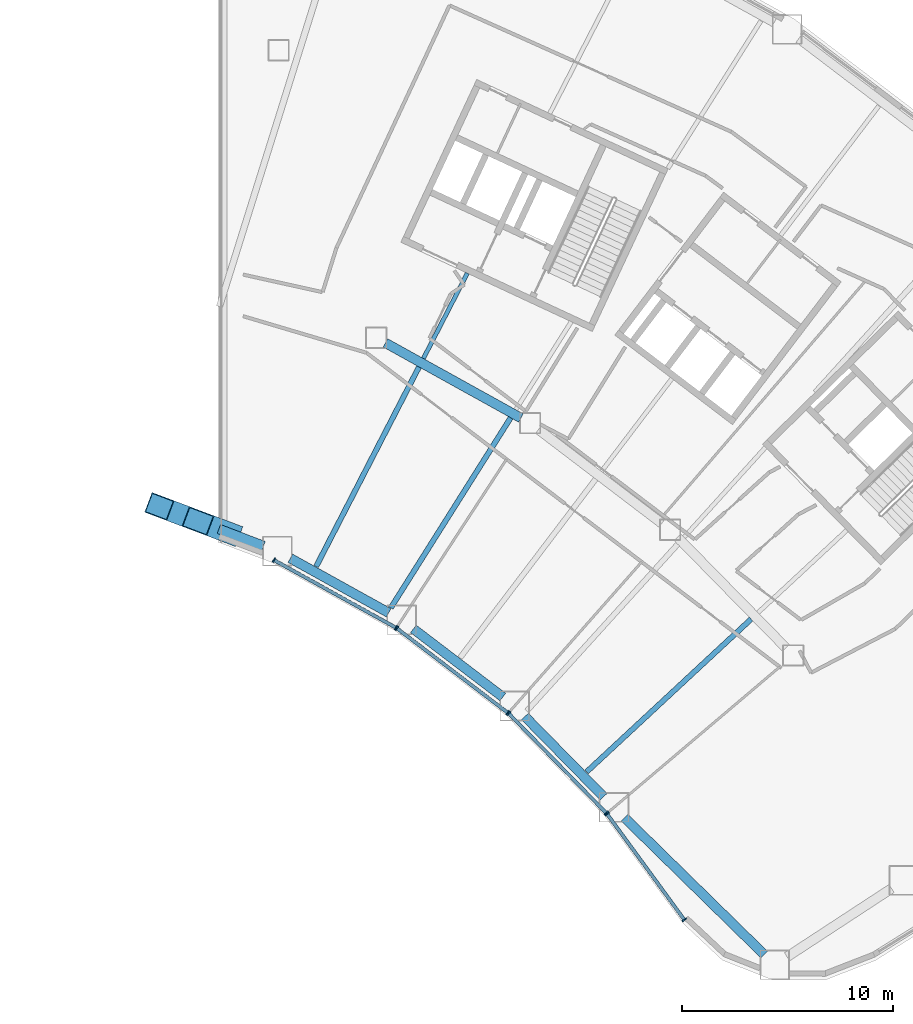
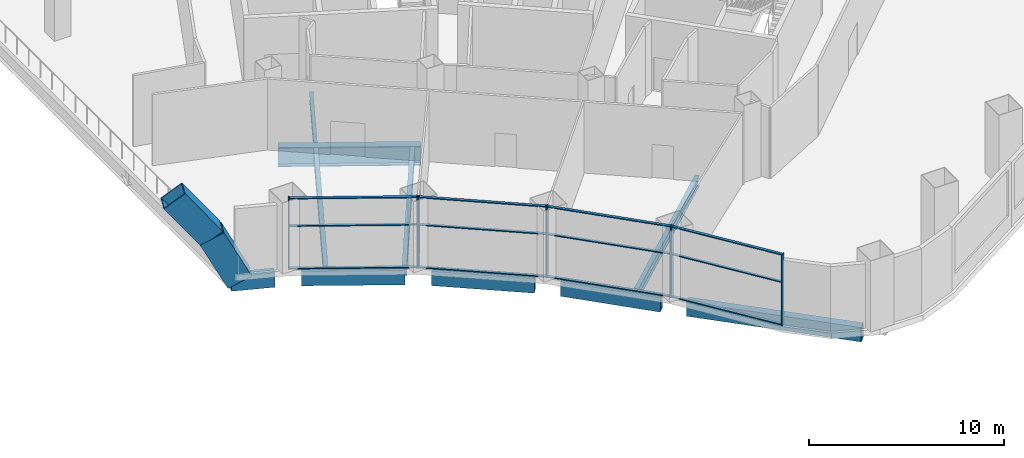
# One storey, part 8 of 20: 20 members, 12 beams, 4 elements without a shape of their own.
"""IFC4 building model written with IfcOpenShell, lengths in metres."""

from ifc_helpers import new_model, si_unit, direction, frame, origin, origin_2d, place, context, subcontext, project, spatial, rectangle, hollow_rectangle, i_section, extrude, material, layer, layer_set, material_profile, profile_set, type_object, element, aggregate, save


model = new_model("IFC4")

# Units and contexts
model_context = context("Model", 3, precision=1e-05, world=origin(), true_north=direction((0.0, 1.0)))
body_context = subcontext(model_context, "Body", "Model", "MODEL_VIEW")
ifc_project = project(units=[si_unit("LENGTHUNIT", "METRE"), si_unit("AREAUNIT", "SQUARE_METRE"), si_unit("VOLUMEUNIT", "CUBIC_METRE"), si_unit("PLANEANGLEUNIT", "RADIAN"), si_unit("MASSUNIT", "GRAM", prefix="KILO")], contexts=[model_context])

# Site, building, storey
site_placement = place(None, origin())
site = spatial("IfcSite", under=ifc_project, at=site_placement, CompositionType="ELEMENT")
building_placement = place(site_placement, origin())
building = spatial("IfcBuilding", under=site, at=building_placement, Name="Tuul Gate Civic Tower", CompositionType="ELEMENT")
storey_placement = place(building_placement, frame((0.0, 0.0, 12.300048828125)))
storey = spatial("IfcBuildingStorey", under=building, at=storey_placement, Name="Level 02", CompositionType="ELEMENT", Elevation=12.300048828125)

# Curtain wall, members
ifc_material_1 = material(Name="Aluminium", Category="aluminium")
ifc_layer = layer(ifc_material_1, 0.199951171875)
ifc_layer_set = layer_set([ifc_layer], Name="Aluminium")
curtain_wall_type = type_object("IfcCurtainWallType", Name="Curtain wall CW6", PredefinedType="NOTDEFINED", material=ifc_layer_set)
curtain_wall_1_placement = place(storey_placement, origin())
curtain_wall_1 = element("IfcCurtainWall", 1, at=curtain_wall_1_placement, inside=storey, type_object=curtain_wall_type, Name="Curtain wall CW6", PredefinedType="NOTDEFINED")
ifc_material_2 = material(Name="Aluminium", Category="aluminium")
ifc_material_profile_1 = material_profile(ifc_material_2, rectangle(XDim=0.239990234375, YDim=0.06005859375, at=origin_2d()), Name="CW6 mullion")
ifc_profile_set_1 = profile_set([ifc_material_profile_1], Name="Aluminium")
member_type_1 = type_object("IfcMemberType", Name="CW6 mullion", PredefinedType="MULLION", material=ifc_profile_set_1)
member_1_placement = place(storey_placement, frame((19.394287109375, -18.20751953125, 0.0), z_axis=(0.0, 0.0, 1.0), x_axis=(0.484724404523, 0.87466693756, 0.0)))
member_1 = element("IfcMember", 2, at=member_1_placement, type_object=member_type_1, Name="Mullion", PredefinedType="MULLION", context=body_context, shape_type="SweptSolid", body=[
    extrude(rectangle(XDim=0.239990234375, YDim=0.06005859375, at=origin_2d()), origin(), (0.0, 0.0, 1.0), 4.449951171875),
])
member_2_placement = place(storey_placement, frame((25.164794921875, -21.405517578125, 0.0), z_axis=(0.0, 0.0, 1.0), x_axis=(0.484724404523, 0.87466693756, 0.0)))
member_2 = element("IfcMember", 3, at=member_2_placement, type_object=member_type_1, Name="Mullion", PredefinedType="MULLION", context=body_context, shape_type="SweptSolid", body=[
    extrude(rectangle(XDim=0.239990234375, YDim=0.06005859375, at=origin_2d()), origin(), (0.0, 0.0, 1.0), 4.449951171875),
])

curtain_wall_2_placement = place(storey_placement, origin())
curtain_wall_2 = element("IfcCurtainWall", 4, at=curtain_wall_2_placement, inside=storey, type_object=curtain_wall_type, Name="Curtain wall CW6", PredefinedType="NOTDEFINED")
member_3_placement = place(storey_placement, frame((25.21484375, -21.438232421875, 0.0), z_axis=(0.0, 0.0, 1.0), x_axis=(0.605776174218, 0.795635109048, 0.0)))
member_3 = element("IfcMember", 5, at=member_3_placement, type_object=member_type_1, Name="Mullion", PredefinedType="MULLION", context=body_context, shape_type="SweptSolid", body=[
    extrude(rectangle(XDim=0.239990234375, YDim=0.06005859375, at=origin_2d()), origin(), (0.0, 0.0, 1.0), 4.449951171875),
])
member_4_placement = place(storey_placement, frame((30.464111328125, -25.434814453125, 0.0), z_axis=(0.0, 0.0, 1.0), x_axis=(0.605776174218, 0.795635109048, 0.0)))
member_4 = element("IfcMember", 6, at=member_4_placement, type_object=member_type_1, Name="Mullion", PredefinedType="MULLION", context=body_context, shape_type="SweptSolid", body=[
    extrude(rectangle(XDim=0.239990234375, YDim=0.06005859375, at=origin_2d()), origin(), (0.0, 0.0, 1.0), 4.449951171875),
])

curtain_wall_3_placement = place(storey_placement, origin())
curtain_wall_3 = element("IfcCurtainWall", 7, at=curtain_wall_3_placement, inside=storey, type_object=curtain_wall_type, Name="Curtain wall CW6", PredefinedType="NOTDEFINED")
member_5_placement = place(storey_placement, frame((30.509033203125, -25.474365234375, 0.0), z_axis=(0.0, 0.0, 1.0), x_axis=(0.714131733701, 0.700011333423, 0.0)))
member_5 = element("IfcMember", 8, at=member_5_placement, type_object=member_type_1, Name="Mullion", PredefinedType="MULLION", context=body_context, shape_type="SweptSolid", body=[
    extrude(rectangle(XDim=0.239990234375, YDim=0.06005859375, at=origin_2d()), origin(), (0.0, 0.0, 1.0), 4.449951171875),
])
member_6_placement = place(storey_placement, frame((35.126953125, -30.185546875, 0.0), z_axis=(0.0, 0.0, 1.0), x_axis=(0.714131733701, 0.700011333423, 0.0)))
member_6 = element("IfcMember", 9, at=member_6_placement, type_object=member_type_1, Name="Mullion", PredefinedType="MULLION", context=body_context, shape_type="SweptSolid", body=[
    extrude(rectangle(XDim=0.239990234375, YDim=0.06005859375, at=origin_2d()), origin(), (0.0, 0.0, 1.0), 4.449951171875),
])

curtain_wall_4_placement = place(storey_placement, origin())
curtain_wall_4 = element("IfcCurtainWall", 10, at=curtain_wall_4_placement, inside=storey, type_object=curtain_wall_type, Name="Curtain wall CW6", PredefinedType="NOTDEFINED")
member_7_placement = place(storey_placement, frame((35.165771484375, -30.231201171875, 0.0), z_axis=(0.0, 0.0, 1.0), x_axis=(0.807581267597, 0.589756302404, 0.0)))
member_7 = element("IfcMember", 11, at=member_7_placement, type_object=member_type_1, Name="Mullion", PredefinedType="MULLION", context=body_context, shape_type="SweptSolid", body=[
    extrude(rectangle(XDim=0.239990234375, YDim=0.06005859375, at=origin_2d()), origin(), (0.0, 0.0, 1.0), 4.449951171875),
])
member_8_placement = place(storey_placement, frame((38.8232421875, -35.23974609375, 0.0), z_axis=(0.0, 0.0, 1.0), x_axis=(0.807581267597, 0.589756302404, 0.0)))
member_8 = element("IfcMember", 12, at=member_8_placement, type_object=member_type_1, Name="Mullion", PredefinedType="MULLION", context=body_context, shape_type="SweptSolid", body=[
    extrude(rectangle(XDim=0.239990234375, YDim=0.06005859375, at=origin_2d()), origin(), (0.0, 0.0, 1.0), 4.449951171875),
])

# Member
ifc_material_3 = material(Name="Aluminium", Category="aluminium")
ifc_material_profile_2 = material_profile(ifc_material_3, rectangle(XDim=0.159912109375, YDim=0.06005859375, at=origin_2d()), Name="CW6 transom")
ifc_profile_set_2 = profile_set([ifc_material_profile_2], Name="Aluminium")
member_type_2 = type_object("IfcMemberType", Name="CW6 transom", PredefinedType="USERDEFINED", material=ifc_profile_set_2)
member_9_placement = place(storey_placement, frame((19.42041015625, -18.22216796875, 0.030029296875), z_axis=(0.874674687006, -0.484710420676, 0.0), x_axis=(0.484710420676, 0.874674687006, 0.0)))
member_9 = element("IfcMember", 13, at=member_9_placement, type_object=member_type_2, Name="Transom", ObjectType="TRANSOM", PredefinedType="USERDEFINED", context=body_context, shape_type="SweptSolid", body=[
    extrude(rectangle(XDim=0.159912109375, YDim=0.06005859375, at=origin_2d()), origin(), (0.0, 0.0, 1.0), 6.537353515625),
])

member_10_placement = place(storey_placement, frame((19.42041015625, -18.22216796875, 2.699951171875), z_axis=(0.874674687006, -0.484710420676, 0.0), x_axis=(0.484710420676, 0.874674687006, 0.0)))
member_10 = element("IfcMember", 14, at=member_10_placement, type_object=member_type_2, Name="Transom", ObjectType="TRANSOM", PredefinedType="USERDEFINED", context=body_context, shape_type="SweptSolid", body=[
    extrude(rectangle(XDim=0.159912109375, YDim=0.06005859375, at=origin_2d()), origin(), (0.0, 0.0, 1.0), 6.537353515625),
])

member_11_placement = place(storey_placement, frame((19.42041015625, -18.22216796875, 4.419921875), z_axis=(0.874674687006, -0.484710420676, 0.0), x_axis=(0.484710420676, 0.874674687006, 0.0)))
member_11 = element("IfcMember", 15, at=member_11_placement, type_object=member_type_2, Name="Transom", ObjectType="TRANSOM", PredefinedType="USERDEFINED", context=body_context, shape_type="SweptSolid", body=[
    extrude(rectangle(XDim=0.159912109375, YDim=0.06005859375, at=origin_2d()), origin(), (0.0, 0.0, 1.0), 6.537353515625),
])

aggregate(curtain_wall_1, [member_1, member_2, member_9, member_10, member_11])

member_12_placement = place(storey_placement, frame((25.23876953125, -21.456298828125, 0.030029296875), z_axis=(0.79561856404, -0.605797904053, 0.0), x_axis=(0.605797904053, 0.79561856404, 0.0)))
member_12 = element("IfcMember", 16, at=member_12_placement, type_object=member_type_2, Name="Transom", ObjectType="TRANSOM", PredefinedType="USERDEFINED", context=body_context, shape_type="SweptSolid", body=[
    extrude(rectangle(XDim=0.159912109375, YDim=0.06005859375, at=origin_2d()), origin(), (0.0, 0.0, 1.0), 6.53759765625),
])

member_13_placement = place(storey_placement, frame((25.23876953125, -21.456298828125, 2.699951171875), z_axis=(0.79561856404, -0.605797904053, 0.0), x_axis=(0.605797904053, 0.79561856404, 0.0)))
member_13 = element("IfcMember", 17, at=member_13_placement, type_object=member_type_2, Name="Transom", ObjectType="TRANSOM", PredefinedType="USERDEFINED", context=body_context, shape_type="SweptSolid", body=[
    extrude(rectangle(XDim=0.159912109375, YDim=0.06005859375, at=origin_2d()), origin(), (0.0, 0.0, 1.0), 6.53759765625),
])

member_14_placement = place(storey_placement, frame((25.23876953125, -21.456298828125, 4.419921875), z_axis=(0.79561856404, -0.605797904053, 0.0), x_axis=(0.605797904053, 0.79561856404, 0.0)))
member_14 = element("IfcMember", 18, at=member_14_placement, type_object=member_type_2, Name="Transom", ObjectType="TRANSOM", PredefinedType="USERDEFINED", context=body_context, shape_type="SweptSolid", body=[
    extrude(rectangle(XDim=0.159912109375, YDim=0.06005859375, at=origin_2d()), origin(), (0.0, 0.0, 1.0), 6.53759765625),
])

aggregate(curtain_wall_2, [member_3, member_4, member_12, member_13, member_14])

member_15_placement = place(storey_placement, frame((30.530029296875, -25.495849609375, 0.030029296875), z_axis=(0.700012783767, -0.714130312032, 0.0), x_axis=(0.714130312032, 0.700012783767, 0.0)))
member_15 = element("IfcMember", 19, at=member_15_placement, type_object=member_type_2, Name="Transom", ObjectType="TRANSOM", PredefinedType="USERDEFINED", context=body_context, shape_type="SweptSolid", body=[
    extrude(rectangle(XDim=0.159912109375, YDim=0.06005859375, at=origin_2d()), origin(), (0.0, 0.0, 1.0), 6.536865234375),
])

member_16_placement = place(storey_placement, frame((30.530029296875, -25.495849609375, 2.699951171875), z_axis=(0.700012783767, -0.714130312032, 0.0), x_axis=(0.714130312032, 0.700012783767, 0.0)))
member_16 = element("IfcMember", 20, at=member_16_placement, type_object=member_type_2, Name="Transom", ObjectType="TRANSOM", PredefinedType="USERDEFINED", context=body_context, shape_type="SweptSolid", body=[
    extrude(rectangle(XDim=0.159912109375, YDim=0.06005859375, at=origin_2d()), origin(), (0.0, 0.0, 1.0), 6.536865234375),
])

member_17_placement = place(storey_placement, frame((30.530029296875, -25.495849609375, 4.419921875), z_axis=(0.700012783767, -0.714130312032, 0.0), x_axis=(0.714130312032, 0.700012783767, 0.0)))
member_17 = element("IfcMember", 21, at=member_17_placement, type_object=member_type_2, Name="Transom", ObjectType="TRANSOM", PredefinedType="USERDEFINED", context=body_context, shape_type="SweptSolid", body=[
    extrude(rectangle(XDim=0.159912109375, YDim=0.06005859375, at=origin_2d()), origin(), (0.0, 0.0, 1.0), 6.536865234375),
])

aggregate(curtain_wall_3, [member_5, member_6, member_15, member_16, member_17])

member_18_placement = place(storey_placement, frame((35.183349609375, -30.25537109375, 0.030029296875), z_axis=(0.589756445939, -0.807581162778, 0.0), x_axis=(0.807581162778, 0.589756445939, 0.0)))
member_18 = element("IfcMember", 22, at=member_18_placement, type_object=member_type_2, Name="Transom", ObjectType="TRANSOM", PredefinedType="USERDEFINED", context=body_context, shape_type="SweptSolid", body=[
    extrude(rectangle(XDim=0.159912109375, YDim=0.06005859375, at=origin_2d()), origin(), (0.0, 0.0, 1.0), 6.14208984375),
])

member_19_placement = place(storey_placement, frame((35.183349609375, -30.25537109375, 2.699951171875), z_axis=(0.589756445939, -0.807581162778, 0.0), x_axis=(0.807581162778, 0.589756445939, 0.0)))
member_19 = element("IfcMember", 23, at=member_19_placement, type_object=member_type_2, Name="Transom", ObjectType="TRANSOM", PredefinedType="USERDEFINED", context=body_context, shape_type="SweptSolid", body=[
    extrude(rectangle(XDim=0.159912109375, YDim=0.06005859375, at=origin_2d()), origin(), (0.0, 0.0, 1.0), 6.14208984375),
])

member_20_placement = place(storey_placement, frame((35.183349609375, -30.25537109375, 4.419921875), z_axis=(0.589756445939, -0.807581162778, 0.0), x_axis=(0.807581162778, 0.589756445939, 0.0)))
member_20 = element("IfcMember", 24, at=member_20_placement, type_object=member_type_2, Name="Transom", ObjectType="TRANSOM", PredefinedType="USERDEFINED", context=body_context, shape_type="SweptSolid", body=[
    extrude(rectangle(XDim=0.159912109375, YDim=0.06005859375, at=origin_2d()), origin(), (0.0, 0.0, 1.0), 6.14208984375),
])

aggregate(curtain_wall_4, [member_7, member_8, member_18, member_19, member_20])

# Beams
ifc_material_4 = material(Name="Steel S460", Category="steel")
ifc_material_profile_3 = material_profile(ifc_material_4, hollow_rectangle(XDim=1.0, YDim=1.39990234375, WallThickness=0.0400390625, at=origin_2d()), Name="BOX1400x1000x40")
ifc_profile_set_3 = profile_set([ifc_material_profile_3], Name="Steel S460")
beam_type_1 = type_object("IfcBeamType", Name="STR-ARCH TRUSS CHORD-BOX1400x1000x40", PredefinedType="BEAM", material=ifc_profile_set_3)
beam_1_placement = place(storey_placement, frame((13.968994140625, -15.670166015625, 4.921875), z_axis=(0.564077998383, -0.213258166499, -0.797707318609), x_axis=(0.353635692756, 0.935383235262, 0.0)))
element("IfcBeam", 25, at=beam_1_placement, inside=storey, type_object=beam_type_1, Name="Arch rib", PredefinedType="BEAM", context=body_context, shape_type="SweptSolid", body=[
    extrude(hollow_rectangle(XDim=1.0, YDim=1.39990234375, WallThickness=0.0400390625, at=origin_2d()), origin(), (0.0, 0.0, 1.0), 3.247802734375),
])
beam_2_placement = place(storey_placement, frame((15.801025390625, -16.36279296875, 2.3310546875), z_axis=(0.422185851868, -0.159629062653, -0.892343918475), x_axis=(0.35366545796, 0.935371981538, 0.0)))
element("IfcBeam", 26, at=beam_2_placement, inside=storey, type_object=beam_type_1, Name="Arch rib", PredefinedType="BEAM", context=body_context, shape_type="SweptSolid", body=[
    extrude(hollow_rectangle(XDim=1.0, YDim=1.39990234375, WallThickness=0.0400390625, at=origin_2d()), origin(), (0.0, 0.0, 1.0), 3.21630859375),
])
ifc_material_5 = material(Name="Steel S355", Category="steel")
ifc_material_profile_4 = material_profile(ifc_material_5, i_section(OverallWidth=0.199951171875, OverallDepth=0.5, WebThickness=0.010009765625, FlangeThickness=0.01611328125, at=origin_2d()), Name="PG500x200x10x16")
ifc_profile_set_4 = profile_set([ifc_material_profile_4], Name="Steel S355")
beam_type_2 = type_object("IfcBeamType", Name="STR-FLOOR BEAM-PG500x200x10x16", PredefinedType="BEAM", material=ifc_profile_set_4)
beam_3_placement = place(storey_placement, frame((26.468017578125, -8.6650390625, -0.60009765625), z_axis=(0.458251317749, 0.88882266498, 0.0), x_axis=(-0.88882266498, 0.458251317749, 0.0)))
element("IfcBeam", 27, at=beam_3_placement, inside=storey, type_object=beam_type_2, Name="Floor beam", PredefinedType="BEAM", context=body_context, shape_type="SweptSolid", body=[
    extrude(i_section(OverallWidth=0.199951171875, OverallDepth=0.5, WebThickness=0.010009765625, FlangeThickness=0.01611328125, at=origin_2d()), origin(), (0.0, 0.0, 1.0), 4.54248046875),
])
ifc_material_6 = material(Name="Steel S355", Category="steel")
ifc_material_profile_5 = material_profile(ifc_material_6, i_section(OverallWidth=0.25, OverallDepth=0.64990234375, WebThickness=0.011962890625, FlangeThickness=0.02001953125, at=origin_2d()), Name="PG650x250x12x20")
ifc_profile_set_5 = profile_set([ifc_material_profile_5], Name="Steel S355")
beam_type_3 = type_object("IfcBeamType", Name="STR-FLOOR BEAM-PG650x250x12x20", PredefinedType="BEAM", material=ifc_profile_set_5)
beam_4_placement = place(storey_placement, frame((34.19580078125, -28.236572265625, -0.675048828125), z_axis=(0.732685493637, 0.680567386387, 0.0), x_axis=(-0.680567386387, 0.732685493637, 0.0)))
element("IfcBeam", 28, at=beam_4_placement, inside=storey, type_object=beam_type_3, Name="Floor beam", PredefinedType="BEAM", context=body_context, shape_type="SweptSolid", body=[
    extrude(i_section(OverallWidth=0.25, OverallDepth=0.64990234375, WebThickness=0.011962890625, FlangeThickness=0.02001953125, at=origin_2d()), origin(), (0.0, 0.0, 1.0), 10.62890625),
])
beam_5_placement = place(storey_placement, frame((24.9248046875, -20.47265625, -0.675048828125), z_axis=(0.533386929433, 0.845871375275, 0.0), x_axis=(-0.845871375275, 0.533386929433, 0.0)))
element("IfcBeam", 29, at=beam_5_placement, inside=storey, type_object=beam_type_3, Name="Floor beam", PredefinedType="BEAM", context=body_context, shape_type="SweptSolid", body=[
    extrude(i_section(OverallWidth=0.25, OverallDepth=0.64990234375, WebThickness=0.011962890625, FlangeThickness=0.02001953125, at=origin_2d()), origin(), (0.0, 0.0, 1.0), 10.641845703125),
])
beam_6_placement = place(storey_placement, frame((21.390380859375, -18.512939453125, -0.675048828125), z_axis=(0.45825908174, 0.888818662047, 0.0), x_axis=(-0.888818662047, 0.45825908174, 0.0)))
element("IfcBeam", 30, at=beam_6_placement, inside=storey, type_object=beam_type_3, Name="Floor beam", PredefinedType="BEAM", context=body_context, shape_type="SweptSolid", body=[
    extrude(i_section(OverallWidth=0.25, OverallDepth=0.64990234375, WebThickness=0.011962890625, FlangeThickness=0.02001953125, at=origin_2d()), origin(), (0.0, 0.0, 1.0), 10.629638671875),
])
ifc_material_7 = material(Name="Steel S355", Category="steel")
ifc_material_profile_6 = material_profile(ifc_material_7, i_section(OverallWidth=0.449951171875, OverallDepth=1.199951171875, WebThickness=0.02001953125, FlangeThickness=0.0400390625, at=origin_2d()), Name="PG1200x450x20x40")
ifc_profile_set_6 = profile_set([ifc_material_profile_6], Name="Steel S355")
beam_type_4 = type_object("IfcBeamType", Name="STR-RING BEAM-PG1200x450x20x40", PredefinedType="BEAM", material=ifc_profile_set_6)
beam_7_placement = place(storey_placement, frame((24.67333984375, -7.927490234375, -0.949951171875), z_axis=(0.874595196089, -0.484853836717, 0.0), x_axis=(0.484853836717, 0.874595196089, 0.0)))
element("IfcBeam", 31, at=beam_7_placement, inside=storey, type_object=beam_type_4, Name="Ring girder", PredefinedType="BEAM", context=body_context, shape_type="SweptSolid", body=[
    extrude(i_section(OverallWidth=0.449951171875, OverallDepth=1.199951171875, WebThickness=0.02001953125, FlangeThickness=0.0400390625, at=origin_2d()), origin(), (0.0, 0.0, 1.0), 7.3310546875),
])
ifc_material_8 = material(Name="Steel S355", Category="steel")
ifc_material_profile_7 = material_profile(ifc_material_8, hollow_rectangle(XDim=0.449951171875, YDim=0.89990234375, WallThickness=0.02490234375, at=origin_2d()), Name="BOX900x450x25")
ifc_profile_set_7 = profile_set([ifc_material_profile_7], Name="Steel S355")
beam_type_5 = type_object("IfcBeamType", Name="STR-SPANDREL BEAM-BOX900x450x25", PredefinedType="BEAM", material=ifc_profile_set_7)
beam_8_placement = place(storey_placement, frame((16.7880859375, -16.73583984375, -0.800048828125), z_axis=(0.935403070101, -0.353583224213, 0.0), x_axis=(0.353583224213, 0.935403070101, 0.0)))
element("IfcBeam", 32, at=beam_8_placement, inside=storey, type_object=beam_type_5, Name="Spandrel beam", PredefinedType="BEAM", context=body_context, shape_type="SweptSolid", body=[
    extrude(hollow_rectangle(XDim=0.449951171875, YDim=0.89990234375, WallThickness=0.02490234375, at=origin_2d()), origin(), (0.0, 0.0, 1.0), 2.26123046875),
])
beam_9_placement = place(storey_placement, frame((20.170166015625, -18.122314453125, -0.800048828125), z_axis=(0.87456368019, -0.484910681769, 0.0), x_axis=(0.484910681769, 0.87456368019, 0.0)))
element("IfcBeam", 33, at=beam_9_placement, inside=storey, type_object=beam_type_5, Name="Spandrel beam", PredefinedType="BEAM", context=body_context, shape_type="SweptSolid", body=[
    extrude(hollow_rectangle(XDim=0.449951171875, YDim=0.89990234375, WallThickness=0.02490234375, at=origin_2d()), origin(), (0.0, 0.0, 1.0), 5.3232421875),
])
beam_10_placement = place(storey_placement, frame((25.994873046875, -21.467041015625, -0.800048828125), z_axis=(0.795624397763, -0.605790242315, 0.0), x_axis=(0.605790242315, 0.795624397763, 0.0)))
element("IfcBeam", 34, at=beam_10_placement, inside=storey, type_object=beam_type_5, Name="Spandrel beam", PredefinedType="BEAM", context=body_context, shape_type="SweptSolid", body=[
    extrude(hollow_rectangle(XDim=0.449951171875, YDim=0.89990234375, WallThickness=0.02490234375, at=origin_2d()), origin(), (0.0, 0.0, 1.0), 5.32177734375),
])
beam_11_placement = place(storey_placement, frame((31.276123046875, -25.614990234375, -0.800048828125), z_axis=(0.700007662648, -0.714135331876, 0.0), x_axis=(0.714135331876, 0.700007662648, 0.0)))
element("IfcBeam", 35, at=beam_11_placement, inside=storey, type_object=beam_type_5, Name="Spandrel beam", PredefinedType="BEAM", context=body_context, shape_type="SweptSolid", body=[
    extrude(hollow_rectangle(XDim=0.449951171875, YDim=0.89990234375, WallThickness=0.02490234375, at=origin_2d()), origin(), (0.0, 0.0, 1.0), 5.322509765625),
])
beam_12_placement = place(storey_placement, frame((35.991943359375, -30.406005859375, -0.800048828125), z_axis=(0.714257932821, -0.699882565437, 0.0), x_axis=(0.699882565437, 0.714257932821, 0.0)))
element("IfcBeam", 36, at=beam_12_placement, inside=storey, type_object=beam_type_5, Name="Spandrel beam", PredefinedType="BEAM", context=body_context, shape_type="SweptSolid", body=[
    extrude(hollow_rectangle(XDim=0.449951171875, YDim=0.89990234375, WallThickness=0.02490234375, at=origin_2d()), origin(), (0.0, 0.0, 1.0), 9.255859375),
])

save(model, "model.ifc")
